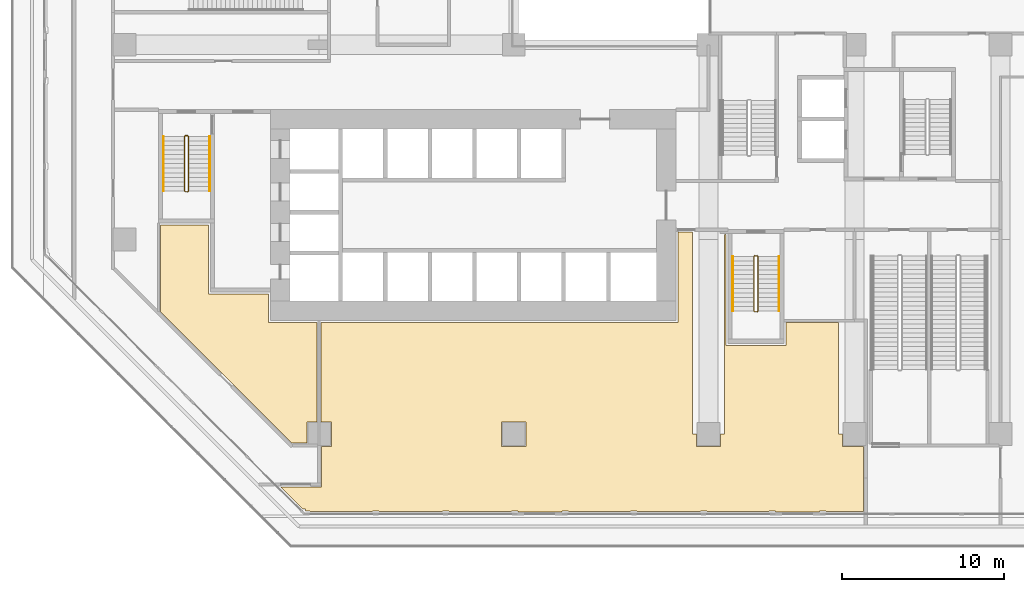
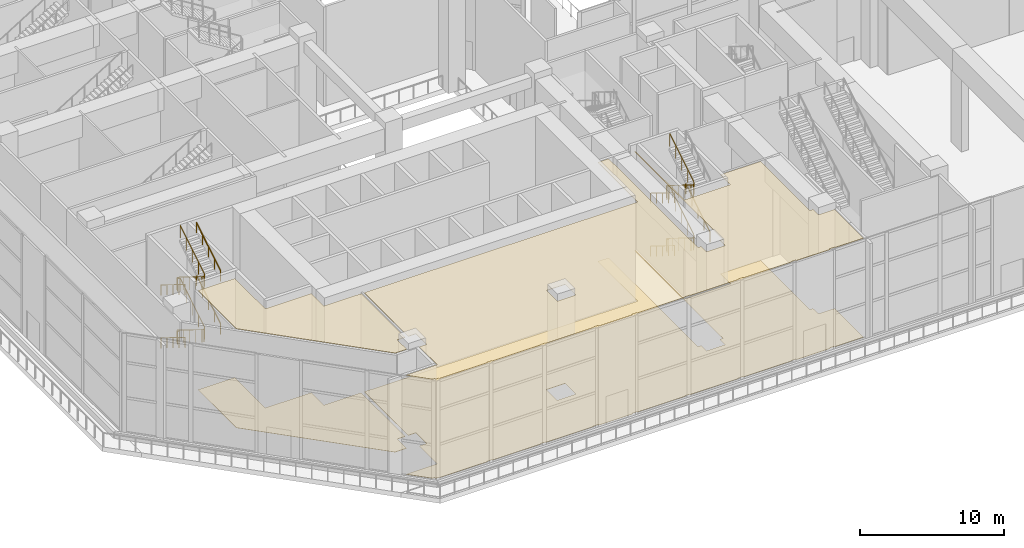
# One storey, part 21 of 28: 9 railings, 4 coverings.
"""IFC4 building model written with IfcOpenShell, lengths in metres."""

from ifc_helpers import new_model, si_unit, direction, frame, origin, origin_2d, place, context, subcontext, project, spatial, polyline, rectangle, outline, extrude, material, layer, layer_set, type_object, element, save


model = new_model("IFC4")

# Units and contexts
model_context = context("Model", 3, precision=1e-05, world=origin(), true_north=direction((0.0, 1.0)))
body_context = subcontext(model_context, "Body", "Model", "MODEL_VIEW")
ifc_project = project(units=[si_unit("LENGTHUNIT", "METRE"), si_unit("AREAUNIT", "SQUARE_METRE"), si_unit("VOLUMEUNIT", "CUBIC_METRE"), si_unit("PLANEANGLEUNIT", "RADIAN"), si_unit("MASSUNIT", "GRAM", prefix="KILO")], contexts=[model_context])

# Site, building, storey
site_placement = place(None, origin())
site = spatial("IfcSite", under=ifc_project, at=site_placement, CompositionType="ELEMENT")
building_placement = place(site_placement, origin())
building = spatial("IfcBuilding", under=site, at=building_placement, Name="Chenar Terraces", CompositionType="ELEMENT")
storey_placement = place(building_placement, frame((0.0, 0.0, 26.39990234375)))
storey = spatial("IfcBuildingStorey", under=building, at=storey_placement, Name="L05", CompositionType="ELEMENT", Elevation=26.39990234375)

# Coverings
ifc_material_1 = material(Name="Mineral fibre acoustic ceiling board")
ifc_layer_1 = layer(ifc_material_1, 0.030029296875)
ifc_layer_set_1 = layer_set([ifc_layer_1], Name="Mineral fibre acoustic ceiling board")
covering_type_1 = type_object("IfcCoveringType", Name="Acoustic board ceiling 30", PredefinedType="CEILING", material=ifc_layer_set_1)
placement_1 = place(storey_placement, frame((0.0, 0.0, 8.420166015625)))
element("IfcCovering", 1, at=placement_1, inside=storey, type_object=covering_type_1, Name="Acoustic ceiling", PredefinedType="CEILING", context=body_context, shape_type="SweptSolid", body=[
    extrude(outline(polyline([(12.125, 6.875), (34.125, 6.875), (34.125, 12.449951171875), (35.0, 12.449951171875), (35.0, 0.0), (35.25, 0.0), (35.25, -0.75), (36.75, -0.75), (36.75, 0.0), (37.0, 0.0), (37.0, 12.300048828125), (37.074951171875, 12.300048828125), (37.074951171875, 5.47509765625), (40.77490234375, 5.47509765625), (40.77490234375, 6.875), (44.0, 6.875), (44.0, 0.0), (44.25, 0.0), (44.25, -0.75), (45.550048828125, -0.75), (45.550048828125, -4.77490234375), (43.257568359375, -4.77490234375), (43.257568359375, -4.72509765625), (42.857421875, -4.72509765625), (42.857421875, -4.800048828125), (40.142578125, -4.800048828125), (40.142578125, -4.72509765625), (39.742431640625, -4.72509765625), (39.742431640625, -4.77490234375), (35.89599609375, -4.77490234375), (35.89599609375, -4.72509765625), (35.495849609375, -4.72509765625), (35.495849609375, -4.77490234375), (31.604248046875, -4.77490234375), (31.604248046875, -4.72509765625), (31.204345703125, -4.72509765625), (31.204345703125, -4.77490234375), (27.357666015625, -4.77490234375), (27.357666015625, -4.72509765625), (26.957763671875, -4.72509765625), (26.957763671875, -4.800048828125), (24.24267578125, -4.800048828125), (24.24267578125, -4.72509765625), (23.8427734375, -4.72509765625), (23.8427734375, -4.77490234375), (19.991943359375, -4.77490234375), (19.991943359375, -4.72509765625), (19.591796875, -4.72509765625), (19.591796875, -4.77490234375), (15.696044921875, -4.77490234375), (15.696044921875, -4.72509765625), (15.296142578125, -4.72509765625), (15.296142578125, -4.77490234375), (11.4453125, -4.77490234375), (11.4453125, -4.72509765625), (11.16552734375, -4.72509765625), (11.16552734375, -4.609130859375), (10.9775390625, -4.609130859375), (9.618408203125, -3.25), (12.14990234375, -3.25), (12.14990234375, -0.75), (12.75, -0.75), (12.75, 0.75), (12.125, 0.75), (12.125, 6.875)]), holes=[polyline([(23.25, -0.75), (24.75, -0.75), (24.75, 0.75), (23.25, 0.75), (23.25, -0.75)])]), origin(), (0.0, 0.0, 1.0), 0.030029296875),
])
element("IfcCovering", 2, at=placement_1, inside=storey, type_object=covering_type_1, Name="Acoustic ceiling", PredefinedType="CEILING", context=body_context, shape_type="SweptSolid", body=[
    extrude(outline(polyline([(8.875, 8.625), (8.875, 6.875), (11.875, 6.875), (11.875, 0.75), (11.25, 0.75), (11.25, -0.550048828125), (10.31201171875, -0.550048828125), (2.22509765625, 7.537109375), (2.22509765625, 12.875), (5.175048828125, 12.875), (5.175048828125, 8.625), (8.875, 8.625)])), origin(), (0.0, 0.0, 1.0), 0.030029296875),
])
ifc_material_2 = material(Name="Honed limestone floor finish", Category="masonry")
ifc_layer_2 = layer(ifc_material_2, 0.02001953125)
ifc_layer_set_2 = layer_set([ifc_layer_2], Name="Honed limestone floor finish")
covering_type_2 = type_object("IfcCoveringType", Name="Limestone floor finish 20", PredefinedType="FLOORING", material=ifc_layer_set_2)
placement_2 = place(storey_placement, origin())
element("IfcCovering", 3, at=placement_2, inside=storey, type_object=covering_type_2, Name="Limestone floor finish", PredefinedType="FLOORING", context=body_context, shape_type="SweptSolid", body=[
    extrude(outline(polyline([(12.125, 6.875), (34.125, 6.875), (34.125, 12.449951171875), (35.0, 12.449951171875), (35.0, 0.0), (35.25, 0.0), (35.25, -0.75), (36.75, -0.75), (36.75, 0.0), (37.0, 0.0), (37.0, 12.300048828125), (37.074951171875, 12.300048828125), (37.074951171875, 5.47509765625), (40.77490234375, 5.47509765625), (40.77490234375, 6.875), (44.0, 6.875), (44.0, 0.0), (44.25, 0.0), (44.25, -0.75), (45.550048828125, -0.75), (45.550048828125, -4.77490234375), (43.257568359375, -4.77490234375), (43.257568359375, -4.72509765625), (42.857421875, -4.72509765625), (42.857421875, -4.800048828125), (40.142578125, -4.800048828125), (40.142578125, -4.72509765625), (39.742431640625, -4.72509765625), (39.742431640625, -4.77490234375), (35.89599609375, -4.77490234375), (35.89599609375, -4.72509765625), (35.495849609375, -4.72509765625), (35.495849609375, -4.77490234375), (31.604248046875, -4.77490234375), (31.604248046875, -4.72509765625), (31.204345703125, -4.72509765625), (31.204345703125, -4.77490234375), (27.357666015625, -4.77490234375), (27.357666015625, -4.72509765625), (26.957763671875, -4.72509765625), (26.957763671875, -4.800048828125), (24.24267578125, -4.800048828125), (24.24267578125, -4.72509765625), (23.8427734375, -4.72509765625), (23.8427734375, -4.77490234375), (19.991943359375, -4.77490234375), (19.991943359375, -4.72509765625), (19.591796875, -4.72509765625), (19.591796875, -4.77490234375), (15.696044921875, -4.77490234375), (15.696044921875, -4.72509765625), (15.296142578125, -4.72509765625), (15.296142578125, -4.77490234375), (11.4453125, -4.77490234375), (11.4453125, -4.72509765625), (11.16552734375, -4.72509765625), (11.16552734375, -4.609130859375), (10.9775390625, -4.609130859375), (9.618408203125, -3.25), (12.14990234375, -3.25), (12.14990234375, -0.75), (12.75, -0.75), (12.75, 0.75), (12.125, 0.75), (12.125, 6.875)]), holes=[polyline([(23.25, -0.75), (24.75, -0.75), (24.75, 0.75), (23.25, 0.75), (23.25, -0.75)])]), origin(), (0.0, 0.0, 1.0), 0.02001953125),
])
element("IfcCovering", 4, at=placement_2, inside=storey, type_object=covering_type_2, Name="Limestone floor finish", PredefinedType="FLOORING", context=body_context, shape_type="SweptSolid", body=[
    extrude(outline(polyline([(8.875, 8.625), (8.875, 6.875), (11.875, 6.875), (11.875, 0.75), (11.25, 0.75), (11.25, -0.550048828125), (10.31201171875, -0.550048828125), (2.22509765625, 7.537109375), (2.22509765625, 12.875), (5.175048828125, 12.875), (5.175048828125, 8.625), (8.875, 8.625)])), origin(), (0.0, 0.0, 1.0), 0.02001953125),
])

# Railings
ifc_material_3 = material(Name="Powder-coated steel", Category="steel")
railing_type_1 = type_object("IfcRailingType", Name="Stair guard 1100", PredefinedType="GUARDRAIL", material=ifc_material_3)
railing_1_placement = place(storey_placement, frame((3.949951171875, 18.35009765625, 9.0)))
element("IfcRailing", 5, at=railing_1_placement, inside=storey, type_object=railing_type_1, Name="L05 ST1 stair guard 1", PredefinedType="GUARDRAIL", context=body_context, shape_type="SweptSolid", body=[
    extrude(rectangle(XDim=0.048095703125, YDim=0.048095703125, at=origin_2d()), frame((0.0, 0.0, 1.076171875), z_axis=(0.0, -0.850623216509, -0.525775754039), x_axis=(1.0, 0.0, 0.0)), (0.0, 0.0, 1.0), 3.9501953125),
    extrude(rectangle(XDim=0.048095703125, YDim=0.048095703125, at=origin_2d()), frame((0.0, -3.360107421875, -1.0009765625), z_axis=(-0.267629722418, -0.267629722418, -0.925607186314), x_axis=(0.707106781187, -0.707106781187, 0.0)), (0.0, 0.0, 1.0), 0.18701171875),
    extrude(rectangle(XDim=0.048095703125, YDim=0.048095703125, at=origin_2d()), frame((-0.050048828125, -3.41015625, -1.173828125), z_axis=(-1.0, 0.0, 0.0), x_axis=(0.0, -1.0, 0.0)), (0.0, 0.0, 1.0), 0.14990234375),
    extrude(rectangle(XDim=0.048095703125, YDim=0.048095703125, at=origin_2d()), frame((-0.199951171875, -3.41015625, -1.173828125), z_axis=(-0.707106781187, 0.707106781187, 0.0), x_axis=(-0.707106781187, -0.707106781187, 0.0)), (0.0, 0.0, 1.0), 0.07080078125),
    extrude(rectangle(XDim=0.048095703125, YDim=0.048095703125, at=origin_2d()), frame((-0.25, -3.360107421875, -1.173828125), z_axis=(0.0, 0.850623216509, -0.525775754039), x_axis=(-1.0, 0.0, 0.0)), (0.0, 0.0, 1.0), 3.9501953125),
    extrude(rectangle(XDim=0.048095703125, YDim=0.048095703125, at=origin_2d()), frame((-0.25, 0.0, -3.2509765625), z_axis=(0.742994154839, 0.185068141132, -0.643202510111), x_axis=(-0.241699205484, 0.970351222016, 0.0)), (0.0, 0.0, 1.0), 0.26904296875),
    extrude(rectangle(XDim=0.048095703125, YDim=0.048095703125, at=origin_2d()), frame((-0.050048828125, 0.0498046875, -3.423828125), z_axis=(-1.0, 0.0, 0.0), x_axis=(0.0, -1.0, 0.0)), (0.0, 0.0, 1.0), 0.14990234375),
    extrude(rectangle(XDim=0.048095703125, YDim=0.048095703125, at=origin_2d()), frame((-0.199951171875, 0.0498046875, -3.423828125), z_axis=(0.970351222016, -0.241699205484, 0.0), x_axis=(0.241699205484, 0.970351222016, 0.0)), (0.0, 0.0, 1.0), 0.2060546875),
    extrude(rectangle(XDim=0.048095703125, YDim=0.048095703125, at=origin_2d()), frame((0.0, 0.0, -3.423828125), z_axis=(0.0, -0.850623216509, -0.525775754039), x_axis=(1.0, 0.0, 0.0)), (0.0, 0.0, 1.0), 3.9501953125),
    extrude(rectangle(XDim=0.048095703125, YDim=0.048095703125, at=origin_2d()), frame((0.0, -3.360107421875, -5.5009765625), z_axis=(-0.267629722418, -0.267629722418, -0.925607186314), x_axis=(0.707106781187, -0.707106781187, 0.0)), (0.0, 0.0, 1.0), 0.18701171875),
    extrude(rectangle(XDim=0.048095703125, YDim=0.048095703125, at=origin_2d()), frame((-0.050048828125, -3.41015625, -5.673828125), z_axis=(-1.0, 0.0, 0.0), x_axis=(0.0, -1.0, 0.0)), (0.0, 0.0, 1.0), 0.14990234375),
    extrude(rectangle(XDim=0.048095703125, YDim=0.048095703125, at=origin_2d()), frame((-0.199951171875, -3.41015625, -5.673828125), z_axis=(-0.707106781187, 0.707106781187, 0.0), x_axis=(-0.707106781187, -0.707106781187, 0.0)), (0.0, 0.0, 1.0), 0.07080078125),
    extrude(rectangle(XDim=0.048095703125, YDim=0.048095703125, at=origin_2d()), frame((-0.25, -3.360107421875, -5.673828125), z_axis=(0.0, 0.850623216509, -0.525775754039), x_axis=(-1.0, 0.0, 0.0)), (0.0, 0.0, 1.0), 3.9501953125),
    extrude(rectangle(XDim=0.048095703125, YDim=0.048095703125, at=origin_2d()), frame((-0.25, 0.0, -7.7509765625), z_axis=(0.267723051232, 0.266417085129, -0.925929967433), x_axis=(-0.705375805398, 0.708833529934, 0.0)), (0.0, 0.0, 1.0), 0.18701171875),
    extrude(rectangle(XDim=0.048095703125, YDim=0.048095703125, at=origin_2d()), frame((-0.199951171875, 0.0498046875, -7.923828125), z_axis=(1.0, 0.0, 0.0), x_axis=(0.0, 1.0, 0.0)), (0.0, 0.0, 1.0), 0.14990234375),
    extrude(rectangle(XDim=0.0419921875, YDim=0.0419921875, at=origin_2d()), origin(), (0.0, 0.0, 1.0), 1.052001953125),
    extrude(rectangle(XDim=0.0419921875, YDim=0.0419921875, at=origin_2d()), frame((0.0, -0.840087890625, -0.519287109375)), (0.0, 0.0, 1.0), 1.052001953125),
    extrude(rectangle(XDim=0.0419921875, YDim=0.0419921875, at=origin_2d()), frame((0.0, -1.68017578125, -1.03857421875)), (0.0, 0.0, 1.0), 1.052001953125),
    extrude(rectangle(XDim=0.0419921875, YDim=0.0419921875, at=origin_2d()), frame((0.0, -2.52001953125, -1.5576171875)), (0.0, 0.0, 1.0), 1.052001953125),
    extrude(rectangle(XDim=0.0419921875, YDim=0.0419921875, at=origin_2d()), frame((0.0, -3.360107421875, -2.076904296875)), (0.0, 0.0, 1.0), 1.052001953125),
    extrude(rectangle(XDim=0.0419921875, YDim=0.0419921875, at=origin_2d()), frame((-0.050048828125, -3.41015625, -2.25)), (0.0, 0.0, 1.0), 1.052001953125),
    extrude(rectangle(XDim=0.0419921875, YDim=0.0419921875, at=origin_2d()), frame((-0.199951171875, -3.41015625, -2.25)), (0.0, 0.0, 1.0), 1.052001953125),
    extrude(rectangle(XDim=0.0419921875, YDim=0.0419921875, at=origin_2d()), frame((-0.25, -3.360107421875, -2.25)), (0.0, 0.0, 1.0), 1.052001953125),
    extrude(rectangle(XDim=0.0419921875, YDim=0.0419921875, at=origin_2d()), frame((-0.25, -2.52001953125, -2.769287109375)), (0.0, 0.0, 1.0), 1.052001953125),
    extrude(rectangle(XDim=0.0419921875, YDim=0.0419921875, at=origin_2d()), frame((-0.25, -1.68017578125, -3.28857421875)), (0.0, 0.0, 1.0), 1.052001953125),
    extrude(rectangle(XDim=0.0419921875, YDim=0.0419921875, at=origin_2d()), frame((-0.25, -0.840087890625, -3.8076171875)), (0.0, 0.0, 1.0), 1.052001953125),
    extrude(rectangle(XDim=0.0419921875, YDim=0.0419921875, at=origin_2d()), frame((-0.25, 0.0, -4.326904296875)), (0.0, 0.0, 1.0), 1.052001953125),
    extrude(rectangle(XDim=0.0419921875, YDim=0.0419921875, at=origin_2d()), frame((-0.050048828125, 0.0498046875, -4.5)), (0.0, 0.0, 1.0), 1.052001953125),
    extrude(rectangle(XDim=0.0419921875, YDim=0.0419921875, at=origin_2d()), frame((-0.199951171875, 0.0498046875, -4.5)), (0.0, 0.0, 1.0), 1.052001953125),
    extrude(rectangle(XDim=0.0419921875, YDim=0.0419921875, at=origin_2d()), frame((0.0, 0.0, -4.5)), (0.0, 0.0, 1.0), 1.052001953125),
    extrude(rectangle(XDim=0.0419921875, YDim=0.0419921875, at=origin_2d()), frame((0.0, -0.840087890625, -5.019287109375)), (0.0, 0.0, 1.0), 1.052001953125),
    extrude(rectangle(XDim=0.0419921875, YDim=0.0419921875, at=origin_2d()), frame((0.0, -1.68017578125, -5.53857421875)), (0.0, 0.0, 1.0), 1.052001953125),
    extrude(rectangle(XDim=0.0419921875, YDim=0.0419921875, at=origin_2d()), frame((0.0, -2.52001953125, -6.0576171875)), (0.0, 0.0, 1.0), 1.052001953125),
    extrude(rectangle(XDim=0.0419921875, YDim=0.0419921875, at=origin_2d()), frame((0.0, -3.360107421875, -6.576904296875)), (0.0, 0.0, 1.0), 1.052001953125),
    extrude(rectangle(XDim=0.0419921875, YDim=0.0419921875, at=origin_2d()), frame((-0.050048828125, -3.41015625, -6.75)), (0.0, 0.0, 1.0), 1.052001953125),
    extrude(rectangle(XDim=0.0419921875, YDim=0.0419921875, at=origin_2d()), frame((-0.199951171875, -3.41015625, -6.75)), (0.0, 0.0, 1.0), 1.052001953125),
    extrude(rectangle(XDim=0.0419921875, YDim=0.0419921875, at=origin_2d()), frame((-0.25, -3.360107421875, -6.75)), (0.0, 0.0, 1.0), 1.052001953125),
    extrude(rectangle(XDim=0.0419921875, YDim=0.0419921875, at=origin_2d()), frame((-0.25, -2.52001953125, -7.269287109375)), (0.0, 0.0, 1.0), 1.052001953125),
    extrude(rectangle(XDim=0.0419921875, YDim=0.0419921875, at=origin_2d()), frame((-0.25, -1.68017578125, -7.78857421875)), (0.0, 0.0, 1.0), 1.052001953125),
    extrude(rectangle(XDim=0.0419921875, YDim=0.0419921875, at=origin_2d()), frame((-0.25, -0.840087890625, -8.3076171875)), (0.0, 0.0, 1.0), 1.052001953125),
    extrude(rectangle(XDim=0.0419921875, YDim=0.0419921875, at=origin_2d()), frame((-0.25, 0.0, -8.826904296875)), (0.0, 0.0, 1.0), 1.052001953125),
    extrude(rectangle(XDim=0.0419921875, YDim=0.0419921875, at=origin_2d()), frame((-0.199951171875, 0.0498046875, -9.0)), (0.0, 0.0, 1.0), 1.052001953125),
    extrude(rectangle(XDim=0.0419921875, YDim=0.0419921875, at=origin_2d()), frame((-0.050048828125, 0.0498046875, -9.0)), (0.0, 0.0, 1.0), 1.052001953125),
])
railing_2_placement = place(storey_placement, frame((39.050048828125, 10.949951171875, 9.0)))
element("IfcRailing", 6, at=railing_2_placement, inside=storey, type_object=railing_type_1, Name="L05 ST2 stair guard 1", PredefinedType="GUARDRAIL", context=body_context, shape_type="SweptSolid", body=[
    extrude(rectangle(XDim=0.048095703125, YDim=0.048095703125, at=origin_2d()), frame((0.0, 0.0, 1.076171875), z_axis=(0.0, -0.850606129759, -0.525803396734), x_axis=(1.0, 0.0, 0.0)), (0.0, 0.0, 1.0), 3.949951171875),
    extrude(rectangle(XDim=0.048095703125, YDim=0.048095703125, at=origin_2d()), frame((0.0, -3.35986328125, -1.0009765625), z_axis=(-0.267629722418, -0.267629722418, -0.925607186314), x_axis=(0.707106781187, -0.707106781187, 0.0)), (0.0, 0.0, 1.0), 0.18701171875),
    extrude(rectangle(XDim=0.048095703125, YDim=0.048095703125, at=origin_2d()), frame((-0.050048828125, -3.409912109375, -1.173828125), z_axis=(-1.0, 0.0, 0.0), x_axis=(0.0, -1.0, 0.0)), (0.0, 0.0, 1.0), 0.14990234375),
    extrude(rectangle(XDim=0.048095703125, YDim=0.048095703125, at=origin_2d()), frame((-0.199951171875, -3.409912109375, -1.173828125), z_axis=(-0.707106781187, 0.707106781187, 0.0), x_axis=(-0.707106781187, -0.707106781187, 0.0)), (0.0, 0.0, 1.0), 0.07080078125),
    extrude(rectangle(XDim=0.048095703125, YDim=0.048095703125, at=origin_2d()), frame((-0.25, -3.35986328125, -1.173828125), z_axis=(0.0, 0.850606129759, -0.525803396734), x_axis=(-1.0, 0.0, 0.0)), (0.0, 0.0, 1.0), 3.949951171875),
    extrude(rectangle(XDim=0.048095703125, YDim=0.048095703125, at=origin_2d()), frame((-0.25, 0.0, -3.2509765625), z_axis=(0.742869136974, 0.185944045274, -0.643094283413), x_axis=(-0.242814311512, 0.970072785993, 0.0)), (0.0, 0.0, 1.0), 0.26904296875),
    extrude(rectangle(XDim=0.048095703125, YDim=0.048095703125, at=origin_2d()), frame((-0.050048828125, 0.050048828125, -3.423828125), z_axis=(-1.0, 0.0, 0.0), x_axis=(0.0, -1.0, 0.0)), (0.0, 0.0, 1.0), 0.14990234375),
    extrude(rectangle(XDim=0.048095703125, YDim=0.048095703125, at=origin_2d()), frame((-0.199951171875, 0.050048828125, -3.423828125), z_axis=(0.970072785993, -0.242814311512, 0.0), x_axis=(0.242814311512, 0.970072785993, 0.0)), (0.0, 0.0, 1.0), 0.2060546875),
    extrude(rectangle(XDim=0.048095703125, YDim=0.048095703125, at=origin_2d()), frame((0.0, 0.0, -3.423828125), z_axis=(0.0, -0.850606129759, -0.525803396734), x_axis=(1.0, 0.0, 0.0)), (0.0, 0.0, 1.0), 3.949951171875),
    extrude(rectangle(XDim=0.048095703125, YDim=0.048095703125, at=origin_2d()), frame((0.0, -3.35986328125, -5.5009765625), z_axis=(-0.267629722418, -0.267629722418, -0.925607186314), x_axis=(0.707106781187, -0.707106781187, 0.0)), (0.0, 0.0, 1.0), 0.18701171875),
    extrude(rectangle(XDim=0.048095703125, YDim=0.048095703125, at=origin_2d()), frame((-0.050048828125, -3.409912109375, -5.673828125), z_axis=(-1.0, 0.0, 0.0), x_axis=(0.0, -1.0, 0.0)), (0.0, 0.0, 1.0), 0.14990234375),
    extrude(rectangle(XDim=0.048095703125, YDim=0.048095703125, at=origin_2d()), frame((-0.199951171875, -3.409912109375, -5.673828125), z_axis=(-0.707106781187, 0.707106781187, 0.0), x_axis=(-0.707106781187, -0.707106781187, 0.0)), (0.0, 0.0, 1.0), 0.07080078125),
    extrude(rectangle(XDim=0.048095703125, YDim=0.048095703125, at=origin_2d()), frame((-0.25, -3.35986328125, -5.673828125), z_axis=(0.0, 0.850606129759, -0.525803396734), x_axis=(-1.0, 0.0, 0.0)), (0.0, 0.0, 1.0), 3.949951171875),
    extrude(rectangle(XDim=0.048095703125, YDim=0.048095703125, at=origin_2d()), frame((-0.25, 0.0, -7.7509765625), z_axis=(0.267629722418, 0.267629722418, -0.925607186314), x_axis=(-0.707106781187, 0.707106781187, 0.0)), (0.0, 0.0, 1.0), 0.18701171875),
    extrude(rectangle(XDim=0.048095703125, YDim=0.048095703125, at=origin_2d()), frame((-0.199951171875, 0.050048828125, -7.923828125), z_axis=(1.0, 0.0, 0.0), x_axis=(0.0, 1.0, 0.0)), (0.0, 0.0, 1.0), 0.14990234375),
    extrude(rectangle(XDim=0.0419921875, YDim=0.0419921875, at=origin_2d()), origin(), (0.0, 0.0, 1.0), 1.052001953125),
    extrude(rectangle(XDim=0.0419921875, YDim=0.0419921875, at=origin_2d()), frame((0.0, -0.83984375, -0.519287109375)), (0.0, 0.0, 1.0), 1.052001953125),
    extrude(rectangle(XDim=0.0419921875, YDim=0.0419921875, at=origin_2d()), frame((0.0, -1.679931640625, -1.03857421875)), (0.0, 0.0, 1.0), 1.052001953125),
    extrude(rectangle(XDim=0.0419921875, YDim=0.0419921875, at=origin_2d()), frame((0.0, -2.52001953125, -1.5576171875)), (0.0, 0.0, 1.0), 1.052001953125),
    extrude(rectangle(XDim=0.0419921875, YDim=0.0419921875, at=origin_2d()), frame((0.0, -3.35986328125, -2.076904296875)), (0.0, 0.0, 1.0), 1.052001953125),
    extrude(rectangle(XDim=0.0419921875, YDim=0.0419921875, at=origin_2d()), frame((-0.050048828125, -3.409912109375, -2.25)), (0.0, 0.0, 1.0), 1.052001953125),
    extrude(rectangle(XDim=0.0419921875, YDim=0.0419921875, at=origin_2d()), frame((-0.199951171875, -3.409912109375, -2.25)), (0.0, 0.0, 1.0), 1.052001953125),
    extrude(rectangle(XDim=0.0419921875, YDim=0.0419921875, at=origin_2d()), frame((-0.25, -3.35986328125, -2.25)), (0.0, 0.0, 1.0), 1.052001953125),
    extrude(rectangle(XDim=0.0419921875, YDim=0.0419921875, at=origin_2d()), frame((-0.25, -2.52001953125, -2.769287109375)), (0.0, 0.0, 1.0), 1.052001953125),
    extrude(rectangle(XDim=0.0419921875, YDim=0.0419921875, at=origin_2d()), frame((-0.25, -1.679931640625, -3.28857421875)), (0.0, 0.0, 1.0), 1.052001953125),
    extrude(rectangle(XDim=0.0419921875, YDim=0.0419921875, at=origin_2d()), frame((-0.25, -0.83984375, -3.8076171875)), (0.0, 0.0, 1.0), 1.052001953125),
    extrude(rectangle(XDim=0.0419921875, YDim=0.0419921875, at=origin_2d()), frame((-0.25, 0.0, -4.326904296875)), (0.0, 0.0, 1.0), 1.052001953125),
    extrude(rectangle(XDim=0.0419921875, YDim=0.0419921875, at=origin_2d()), frame((-0.050048828125, 0.050048828125, -4.5)), (0.0, 0.0, 1.0), 1.052001953125),
    extrude(rectangle(XDim=0.0419921875, YDim=0.0419921875, at=origin_2d()), frame((-0.199951171875, 0.050048828125, -4.5)), (0.0, 0.0, 1.0), 1.052001953125),
    extrude(rectangle(XDim=0.0419921875, YDim=0.0419921875, at=origin_2d()), frame((0.0, 0.0, -4.5)), (0.0, 0.0, 1.0), 1.052001953125),
    extrude(rectangle(XDim=0.0419921875, YDim=0.0419921875, at=origin_2d()), frame((0.0, -0.83984375, -5.019287109375)), (0.0, 0.0, 1.0), 1.052001953125),
    extrude(rectangle(XDim=0.0419921875, YDim=0.0419921875, at=origin_2d()), frame((0.0, -1.679931640625, -5.53857421875)), (0.0, 0.0, 1.0), 1.052001953125),
    extrude(rectangle(XDim=0.0419921875, YDim=0.0419921875, at=origin_2d()), frame((0.0, -2.52001953125, -6.0576171875)), (0.0, 0.0, 1.0), 1.052001953125),
    extrude(rectangle(XDim=0.0419921875, YDim=0.0419921875, at=origin_2d()), frame((0.0, -3.35986328125, -6.576904296875)), (0.0, 0.0, 1.0), 1.052001953125),
    extrude(rectangle(XDim=0.0419921875, YDim=0.0419921875, at=origin_2d()), frame((-0.050048828125, -3.409912109375, -6.75)), (0.0, 0.0, 1.0), 1.052001953125),
    extrude(rectangle(XDim=0.0419921875, YDim=0.0419921875, at=origin_2d()), frame((-0.199951171875, -3.409912109375, -6.75)), (0.0, 0.0, 1.0), 1.052001953125),
    extrude(rectangle(XDim=0.0419921875, YDim=0.0419921875, at=origin_2d()), frame((-0.25, -3.35986328125, -6.75)), (0.0, 0.0, 1.0), 1.052001953125),
    extrude(rectangle(XDim=0.0419921875, YDim=0.0419921875, at=origin_2d()), frame((-0.25, -2.52001953125, -7.269287109375)), (0.0, 0.0, 1.0), 1.052001953125),
    extrude(rectangle(XDim=0.0419921875, YDim=0.0419921875, at=origin_2d()), frame((-0.25, -1.679931640625, -7.78857421875)), (0.0, 0.0, 1.0), 1.052001953125),
    extrude(rectangle(XDim=0.0419921875, YDim=0.0419921875, at=origin_2d()), frame((-0.25, -0.83984375, -8.3076171875)), (0.0, 0.0, 1.0), 1.052001953125),
    extrude(rectangle(XDim=0.0419921875, YDim=0.0419921875, at=origin_2d()), frame((-0.25, 0.0, -8.826904296875)), (0.0, 0.0, 1.0), 1.052001953125),
    extrude(rectangle(XDim=0.0419921875, YDim=0.0419921875, at=origin_2d()), frame((-0.199951171875, 0.050048828125, -9.0)), (0.0, 0.0, 1.0), 1.052001953125),
    extrude(rectangle(XDim=0.0419921875, YDim=0.0419921875, at=origin_2d()), frame((-0.050048828125, 0.050048828125, -9.0)), (0.0, 0.0, 1.0), 1.052001953125),
])
ifc_material_4 = material(Name="Powder-coated steel", Category="steel")
railing_type_2 = type_object("IfcRailingType", Name="Stair handrail 900", PredefinedType="HANDRAIL", material=ifc_material_4)
railing_3_placement = place(storey_placement, frame((2.39990234375, 18.35009765625, 0.173095703125)))
element("IfcRailing", 7, at=railing_3_placement, inside=storey, type_object=railing_type_2, Name="L05 ST1 stair handrail 1", PredefinedType="HANDRAIL", context=body_context, shape_type="SweptSolid", body=[
    extrude(rectangle(XDim=0.048095703125, YDim=0.048095703125, at=origin_2d()), frame((0.0, 0.0, 0.8759765625), z_axis=(0.0, -0.850623216509, 0.525775754039), x_axis=(1.0, 0.0, 0.0)), (0.0, 0.0, 1.0), 3.9501953125),
    extrude(rectangle(XDim=0.0419921875, YDim=0.0419921875, at=origin_2d()), origin(), (0.0, 0.0, 1.0), 0.851806640625),
    extrude(rectangle(XDim=0.0419921875, YDim=0.0419921875, at=origin_2d()), frame((0.0, -0.840087890625, 0.519287109375)), (0.0, 0.0, 1.0), 0.851806640625),
    extrude(rectangle(XDim=0.0419921875, YDim=0.0419921875, at=origin_2d()), frame((0.0, -1.68017578125, 1.03857421875)), (0.0, 0.0, 1.0), 0.851806640625),
    extrude(rectangle(XDim=0.0419921875, YDim=0.0419921875, at=origin_2d()), frame((0.0, -2.52001953125, 1.5576171875)), (0.0, 0.0, 1.0), 0.851806640625),
    extrude(rectangle(XDim=0.0419921875, YDim=0.0419921875, at=origin_2d()), frame((0.0, -3.360107421875, 2.076904296875)), (0.0, 0.0, 1.0), 0.851806640625),
])
railing_4_placement = place(storey_placement, frame((5.25, 14.989990234375, 2.423095703125)))
element("IfcRailing", 8, at=railing_4_placement, inside=storey, type_object=railing_type_2, Name="L05 ST1 stair handrail 2", PredefinedType="HANDRAIL", context=body_context, shape_type="SweptSolid", body=[
    extrude(rectangle(XDim=0.048095703125, YDim=0.048095703125, at=origin_2d()), frame((0.0, 0.0, 0.8759765625), z_axis=(0.0, 0.850623216509, 0.525775754039), x_axis=(-1.0, 0.0, 0.0)), (0.0, 0.0, 1.0), 3.9501953125),
    extrude(rectangle(XDim=0.0419921875, YDim=0.0419921875, at=origin_2d()), origin(), (0.0, 0.0, 1.0), 0.851806640625),
    extrude(rectangle(XDim=0.0419921875, YDim=0.0419921875, at=origin_2d()), frame((0.0, 0.840087890625, 0.519287109375)), (0.0, 0.0, 1.0), 0.851806640625),
    extrude(rectangle(XDim=0.0419921875, YDim=0.0419921875, at=origin_2d()), frame((0.0, 1.68017578125, 1.03857421875)), (0.0, 0.0, 1.0), 0.851806640625),
    extrude(rectangle(XDim=0.0419921875, YDim=0.0419921875, at=origin_2d()), frame((0.0, 2.52001953125, 1.5576171875)), (0.0, 0.0, 1.0), 0.851806640625),
    extrude(rectangle(XDim=0.0419921875, YDim=0.0419921875, at=origin_2d()), frame((0.0, 3.360107421875, 2.076904296875)), (0.0, 0.0, 1.0), 0.851806640625),
])
railing_5_placement = place(storey_placement, frame((2.39990234375, 18.35009765625, 4.673095703125)))
element("IfcRailing", 9, at=railing_5_placement, inside=storey, type_object=railing_type_2, Name="L05 ST1 stair handrail 3", PredefinedType="HANDRAIL", context=body_context, shape_type="SweptSolid", body=[
    extrude(rectangle(XDim=0.048095703125, YDim=0.048095703125, at=origin_2d()), frame((0.0, 0.0, 0.8759765625), z_axis=(0.0, -0.850623216509, 0.525775754039), x_axis=(1.0, 0.0, 0.0)), (0.0, 0.0, 1.0), 3.9501953125),
    extrude(rectangle(XDim=0.0419921875, YDim=0.0419921875, at=origin_2d()), origin(), (0.0, 0.0, 1.0), 0.851806640625),
    extrude(rectangle(XDim=0.0419921875, YDim=0.0419921875, at=origin_2d()), frame((0.0, -0.840087890625, 0.519287109375)), (0.0, 0.0, 1.0), 0.851806640625),
    extrude(rectangle(XDim=0.0419921875, YDim=0.0419921875, at=origin_2d()), frame((0.0, -1.68017578125, 1.03857421875)), (0.0, 0.0, 1.0), 0.851806640625),
    extrude(rectangle(XDim=0.0419921875, YDim=0.0419921875, at=origin_2d()), frame((0.0, -2.52001953125, 1.5576171875)), (0.0, 0.0, 1.0), 0.851806640625),
    extrude(rectangle(XDim=0.0419921875, YDim=0.0419921875, at=origin_2d()), frame((0.0, -3.360107421875, 2.076904296875)), (0.0, 0.0, 1.0), 0.851806640625),
])
railing_6_placement = place(storey_placement, frame((5.25, 14.989990234375, 6.923095703125)))
element("IfcRailing", 10, at=railing_6_placement, inside=storey, type_object=railing_type_2, Name="L05 ST1 stair handrail 4", PredefinedType="HANDRAIL", context=body_context, shape_type="SweptSolid", body=[
    extrude(rectangle(XDim=0.048095703125, YDim=0.048095703125, at=origin_2d()), frame((0.0, 0.0, 0.8759765625), z_axis=(0.0, 0.850623216509, 0.525775754039), x_axis=(-1.0, 0.0, 0.0)), (0.0, 0.0, 1.0), 3.9501953125),
    extrude(rectangle(XDim=0.0419921875, YDim=0.0419921875, at=origin_2d()), origin(), (0.0, 0.0, 1.0), 0.851806640625),
    extrude(rectangle(XDim=0.0419921875, YDim=0.0419921875, at=origin_2d()), frame((0.0, 0.840087890625, 0.519287109375)), (0.0, 0.0, 1.0), 0.851806640625),
    extrude(rectangle(XDim=0.0419921875, YDim=0.0419921875, at=origin_2d()), frame((0.0, 1.68017578125, 1.03857421875)), (0.0, 0.0, 1.0), 0.851806640625),
    extrude(rectangle(XDim=0.0419921875, YDim=0.0419921875, at=origin_2d()), frame((0.0, 2.52001953125, 1.5576171875)), (0.0, 0.0, 1.0), 0.851806640625),
    extrude(rectangle(XDim=0.0419921875, YDim=0.0419921875, at=origin_2d()), frame((0.0, 3.360107421875, 2.076904296875)), (0.0, 0.0, 1.0), 0.851806640625),
])
railing_7_placement = place(storey_placement, frame((37.5, 10.949951171875, 0.173095703125)))
element("IfcRailing", 11, at=railing_7_placement, inside=storey, type_object=railing_type_2, Name="L05 ST2 stair handrail 1", PredefinedType="HANDRAIL", context=body_context, shape_type="SweptSolid", body=[
    extrude(rectangle(XDim=0.048095703125, YDim=0.048095703125, at=origin_2d()), frame((0.0, 0.0, 0.8759765625), z_axis=(0.0, -0.850606129759, 0.525803396734), x_axis=(1.0, 0.0, 0.0)), (0.0, 0.0, 1.0), 3.949951171875),
    extrude(rectangle(XDim=0.0419921875, YDim=0.0419921875, at=origin_2d()), origin(), (0.0, 0.0, 1.0), 0.851806640625),
    extrude(rectangle(XDim=0.0419921875, YDim=0.0419921875, at=origin_2d()), frame((0.0, -0.83984375, 0.519287109375)), (0.0, 0.0, 1.0), 0.851806640625),
    extrude(rectangle(XDim=0.0419921875, YDim=0.0419921875, at=origin_2d()), frame((0.0, -1.679931640625, 1.03857421875)), (0.0, 0.0, 1.0), 0.851806640625),
    extrude(rectangle(XDim=0.0419921875, YDim=0.0419921875, at=origin_2d()), frame((0.0, -2.52001953125, 1.5576171875)), (0.0, 0.0, 1.0), 0.851806640625),
    extrude(rectangle(XDim=0.0419921875, YDim=0.0419921875, at=origin_2d()), frame((0.0, -3.35986328125, 2.076904296875)), (0.0, 0.0, 1.0), 0.851806640625),
])
railing_8_placement = place(storey_placement, frame((40.35009765625, 7.590087890625, 2.423095703125)))
element("IfcRailing", 12, at=railing_8_placement, inside=storey, type_object=railing_type_2, Name="L05 ST2 stair handrail 2", PredefinedType="HANDRAIL", context=body_context, shape_type="SweptSolid", body=[
    extrude(rectangle(XDim=0.048095703125, YDim=0.048095703125, at=origin_2d()), frame((0.0, 0.0, 0.8759765625), z_axis=(0.0, 0.850606129759, 0.525803396734), x_axis=(-1.0, 0.0, 0.0)), (0.0, 0.0, 1.0), 3.949951171875),
    extrude(rectangle(XDim=0.0419921875, YDim=0.0419921875, at=origin_2d()), origin(), (0.0, 0.0, 1.0), 0.851806640625),
    extrude(rectangle(XDim=0.0419921875, YDim=0.0419921875, at=origin_2d()), frame((0.0, 0.83984375, 0.519287109375)), (0.0, 0.0, 1.0), 0.851806640625),
    extrude(rectangle(XDim=0.0419921875, YDim=0.0419921875, at=origin_2d()), frame((0.0, 1.679931640625, 1.03857421875)), (0.0, 0.0, 1.0), 0.851806640625),
    extrude(rectangle(XDim=0.0419921875, YDim=0.0419921875, at=origin_2d()), frame((0.0, 2.52001953125, 1.5576171875)), (0.0, 0.0, 1.0), 0.851806640625),
    extrude(rectangle(XDim=0.0419921875, YDim=0.0419921875, at=origin_2d()), frame((0.0, 3.35986328125, 2.076904296875)), (0.0, 0.0, 1.0), 0.851806640625),
])
railing_9_placement = place(storey_placement, frame((37.5, 10.949951171875, 4.673095703125)))
element("IfcRailing", 13, at=railing_9_placement, inside=storey, type_object=railing_type_2, Name="L05 ST2 stair handrail 3", PredefinedType="HANDRAIL", context=body_context, shape_type="SweptSolid", body=[
    extrude(rectangle(XDim=0.048095703125, YDim=0.048095703125, at=origin_2d()), frame((0.0, 0.0, 0.8759765625), z_axis=(0.0, -0.850606129759, 0.525803396734), x_axis=(1.0, 0.0, 0.0)), (0.0, 0.0, 1.0), 3.949951171875),
    extrude(rectangle(XDim=0.0419921875, YDim=0.0419921875, at=origin_2d()), origin(), (0.0, 0.0, 1.0), 0.851806640625),
    extrude(rectangle(XDim=0.0419921875, YDim=0.0419921875, at=origin_2d()), frame((0.0, -0.83984375, 0.519287109375)), (0.0, 0.0, 1.0), 0.851806640625),
    extrude(rectangle(XDim=0.0419921875, YDim=0.0419921875, at=origin_2d()), frame((0.0, -1.679931640625, 1.03857421875)), (0.0, 0.0, 1.0), 0.851806640625),
    extrude(rectangle(XDim=0.0419921875, YDim=0.0419921875, at=origin_2d()), frame((0.0, -2.52001953125, 1.5576171875)), (0.0, 0.0, 1.0), 0.851806640625),
    extrude(rectangle(XDim=0.0419921875, YDim=0.0419921875, at=origin_2d()), frame((0.0, -3.35986328125, 2.076904296875)), (0.0, 0.0, 1.0), 0.851806640625),
])

save(model, "model.ifc")
